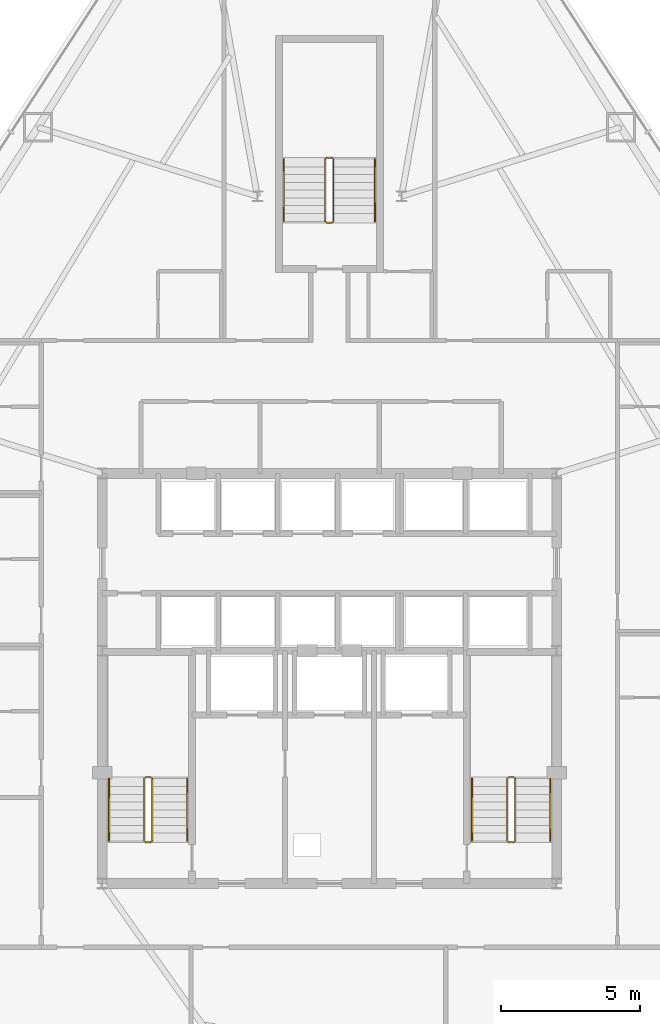
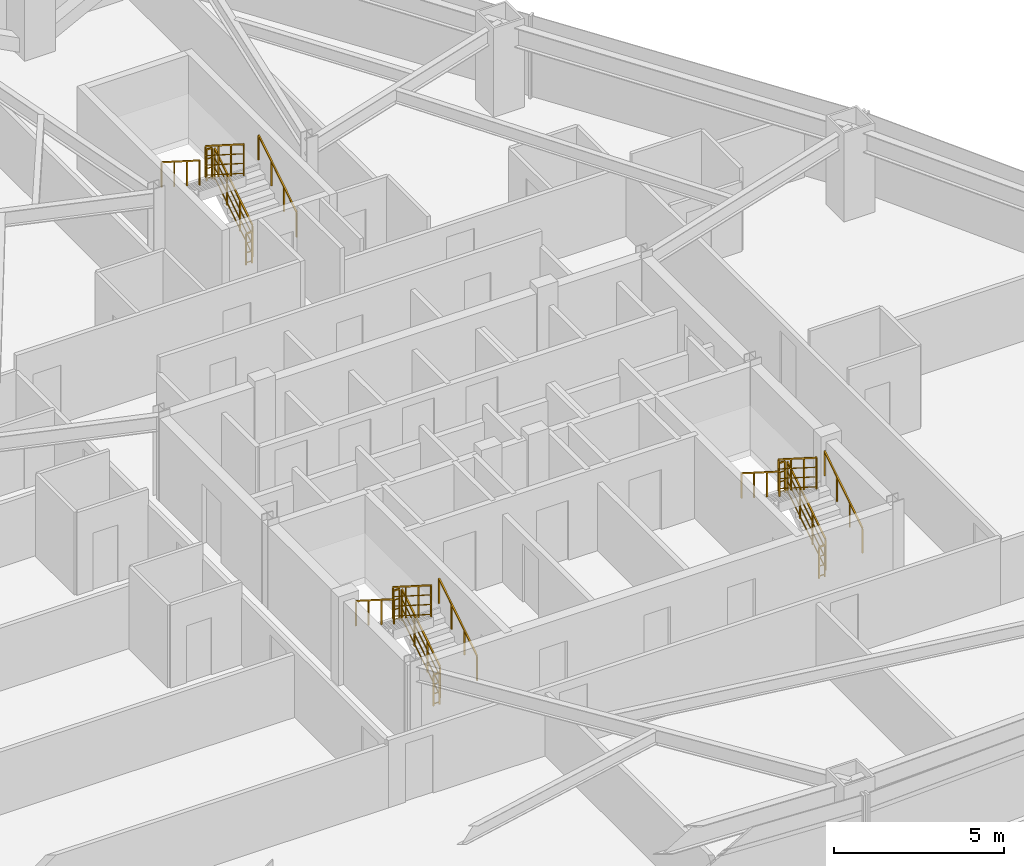
# One storey, part 12 of 12: 18 railings.
"""IFC4 building model written with IfcOpenShell, lengths in metres."""

from ifc_helpers import new_model, si_unit, direction, frame, origin, origin_2d, place, context, subcontext, project, spatial, rectangle, extrude, material, type_object, element, save


model = new_model("IFC4")

# Units and contexts
model_context = context("Model", 3, precision=1e-05, world=origin(), true_north=direction((0.0, 1.0)))
body_context = subcontext(model_context, "Body", "Model", "MODEL_VIEW")
ifc_project = project(units=[si_unit("LENGTHUNIT", "METRE"), si_unit("AREAUNIT", "SQUARE_METRE"), si_unit("VOLUMEUNIT", "CUBIC_METRE"), si_unit("PLANEANGLEUNIT", "RADIAN"), si_unit("MASSUNIT", "GRAM", prefix="KILO")], contexts=[model_context])

# Site, building, storey
site_placement = place(None, origin())
site = spatial("IfcSite", under=ifc_project, at=site_placement, CompositionType="ELEMENT")
building_placement = place(site_placement, origin())
building = spatial("IfcBuilding", under=site, at=building_placement, Name="Varakhsha Concourse Tower", CompositionType="ELEMENT")
storey_placement = place(building_placement, frame((0.0, 0.0, 76.60009765625)))
storey = spatial("IfcBuildingStorey", under=building, at=storey_placement, Name="L21", CompositionType="ELEMENT", Elevation=76.60009765625)

# Railings
ifc_material = material(Name="Brushed Austenitic Stainless Steel AISI 316", Category="steel")
railing_type_1 = type_object("IfcRailingType", Name="RL-STAIR-GUARD-1100", PredefinedType="GUARDRAIL", material=ifc_material)
railing_1_placement = place(storey_placement, frame((33.610107421875, 17.93994140625, 0.177734375)))
element("IfcRailing", 1, at=railing_1_placement, inside=storey, type_object=railing_type_1, Name="L21 ST1 stair guard 1", PredefinedType="GUARDRAIL", context=body_context, shape_type="SweptSolid", body=[
    extrude(rectangle(XDim=0.048095703125, YDim=0.048095703125, at=origin_2d()), frame((0.0, 0.0, 1.1259765625), z_axis=(0.0, 0.8442293374, 0.53598211339), x_axis=(-1.0, 0.0, 0.0)), (0.0, 0.0, 1.0), 2.6533203125),
    extrude(rectangle(XDim=0.028076171875, YDim=0.028076171875, at=origin_2d()), frame((0.0, 0.0, 0.080078125), z_axis=(0.0, 0.8442293374, 0.53598211339), x_axis=(-1.0, 0.0, 0.0)), (0.0, 0.0, 1.0), 2.6533203125),
    extrude(rectangle(XDim=0.028076171875, YDim=0.028076171875, at=origin_2d()), frame((0.0, 0.0, 0.43701171875), z_axis=(0.0, 0.8442293374, 0.53598211339), x_axis=(-1.0, 0.0, 0.0)), (0.0, 0.0, 1.0), 2.6533203125),
    extrude(rectangle(XDim=0.028076171875, YDim=0.028076171875, at=origin_2d()), frame((0.0, 0.0, 0.781982421875), z_axis=(0.0, 0.8442293374, 0.53598211339), x_axis=(-1.0, 0.0, 0.0)), (0.0, 0.0, 1.0), 2.6533203125),
    extrude(rectangle(XDim=0.0419921875, YDim=0.0419921875, at=origin_2d()), origin(), (0.0, 0.0, 1.0), 1.101806640625),
    extrude(rectangle(XDim=0.0419921875, YDim=0.0419921875, at=origin_2d()), frame((0.0, 0.74658203125, 0.47412109375)), (0.0, 0.0, 1.0), 1.101806640625),
    extrude(rectangle(XDim=0.0419921875, YDim=0.0419921875, at=origin_2d()), frame((0.0, 1.493408203125, 0.947998046875)), (0.0, 0.0, 1.0), 1.101806640625),
    extrude(rectangle(XDim=0.0419921875, YDim=0.0419921875, at=origin_2d()), frame((0.0, 2.239990234375, 1.422119140625)), (0.0, 0.0, 1.0), 1.101806640625),
])
railing_2_placement = place(storey_placement, frame((33.56005859375, 20.22998046875, 1.599853515625)))
element("IfcRailing", 2, at=railing_2_placement, inside=storey, type_object=railing_type_1, Name="L21 ST1 stair guard 2", PredefinedType="GUARDRAIL", context=body_context, shape_type="SweptSolid", body=[
    extrude(rectangle(XDim=0.048095703125, YDim=0.048095703125, at=origin_2d()), frame((0.0, 0.0, 1.1259765625), z_axis=(-1.0, 0.0, 0.0), x_axis=(0.0, -1.0, 0.0)), (0.0, 0.0, 1.0), 0.199951171875),
    extrude(rectangle(XDim=0.028076171875, YDim=0.028076171875, at=origin_2d()), frame((0.0, 0.0, 0.080078125), z_axis=(-1.0, 0.0, 0.0), x_axis=(0.0, -1.0, 0.0)), (0.0, 0.0, 1.0), 0.199951171875),
    extrude(rectangle(XDim=0.028076171875, YDim=0.028076171875, at=origin_2d()), frame((0.0, 0.0, 0.43701171875), z_axis=(-1.0, 0.0, 0.0), x_axis=(0.0, -1.0, 0.0)), (0.0, 0.0, 1.0), 0.199951171875),
    extrude(rectangle(XDim=0.028076171875, YDim=0.028076171875, at=origin_2d()), frame((0.0, 0.0, 0.781982421875), z_axis=(-1.0, 0.0, 0.0), x_axis=(0.0, -1.0, 0.0)), (0.0, 0.0, 1.0), 0.199951171875),
    extrude(rectangle(XDim=0.0419921875, YDim=0.0419921875, at=origin_2d()), origin(), (0.0, 0.0, 1.0), 1.101806640625),
    extrude(rectangle(XDim=0.0419921875, YDim=0.0419921875, at=origin_2d()), frame((-0.199951171875, 0.0, 0.0)), (0.0, 0.0, 1.0), 1.101806640625),
])
railing_3_placement = place(storey_placement, frame((33.31005859375, 20.179931640625, 1.777587890625)))
element("IfcRailing", 3, at=railing_3_placement, inside=storey, type_object=railing_type_1, Name="L21 ST1 stair guard 3", PredefinedType="GUARDRAIL", context=body_context, shape_type="SweptSolid", body=[
    extrude(rectangle(XDim=0.048095703125, YDim=0.048095703125, at=origin_2d()), frame((0.0, 0.0, 1.1259765625), z_axis=(0.0, -0.84418770128, 0.536047689118), x_axis=(1.0, 0.0, 0.0)), (0.0, 0.0, 1.0), 2.6533203125),
    extrude(rectangle(XDim=0.028076171875, YDim=0.028076171875, at=origin_2d()), frame((0.0, 0.0, 0.080078125), z_axis=(0.0, -0.84418770128, 0.536047689118), x_axis=(1.0, 0.0, 0.0)), (0.0, 0.0, 1.0), 2.6533203125),
    extrude(rectangle(XDim=0.028076171875, YDim=0.028076171875, at=origin_2d()), frame((0.0, 0.0, 0.43701171875), z_axis=(0.0, -0.84418770128, 0.536047689118), x_axis=(1.0, 0.0, 0.0)), (0.0, 0.0, 1.0), 2.6533203125),
    extrude(rectangle(XDim=0.028076171875, YDim=0.028076171875, at=origin_2d()), frame((0.0, 0.0, 0.781982421875), z_axis=(0.0, -0.84418770128, 0.536047689118), x_axis=(1.0, 0.0, 0.0)), (0.0, 0.0, 1.0), 2.6533203125),
    extrude(rectangle(XDim=0.0419921875, YDim=0.0419921875, at=origin_2d()), origin(), (0.0, 0.0, 1.0), 1.101806640625),
    extrude(rectangle(XDim=0.0419921875, YDim=0.0419921875, at=origin_2d()), frame((0.0, -0.74658203125, 0.47412109375)), (0.0, 0.0, 1.0), 1.101806640625),
    extrude(rectangle(XDim=0.0419921875, YDim=0.0419921875, at=origin_2d()), frame((0.0, -1.493408203125, 0.9482421875)), (0.0, 0.0, 1.0), 1.101806640625),
    extrude(rectangle(XDim=0.0419921875, YDim=0.0419921875, at=origin_2d()), frame((0.0, -2.239990234375, 1.42236328125)), (0.0, 0.0, 1.0), 1.101806640625),
])
railing_4_placement = place(storey_placement, frame((33.56005859375, 17.889892578125, 0.0)))
element("IfcRailing", 4, at=railing_4_placement, inside=storey, type_object=railing_type_1, Name="L21 ST1 stair guard 4", PredefinedType="GUARDRAIL", context=body_context, shape_type="SweptSolid", body=[
    extrude(rectangle(XDim=0.048095703125, YDim=0.048095703125, at=origin_2d()), frame((0.0, 0.0, 1.1259765625), z_axis=(-1.0, 0.0, 0.0), x_axis=(0.0, -1.0, 0.0)), (0.0, 0.0, 1.0), 0.199951171875),
    extrude(rectangle(XDim=0.028076171875, YDim=0.028076171875, at=origin_2d()), frame((0.0, 0.0, 0.080078125), z_axis=(-1.0, 0.0, 0.0), x_axis=(0.0, -1.0, 0.0)), (0.0, 0.0, 1.0), 0.199951171875),
    extrude(rectangle(XDim=0.028076171875, YDim=0.028076171875, at=origin_2d()), frame((0.0, 0.0, 0.43701171875), z_axis=(-1.0, 0.0, 0.0), x_axis=(0.0, -1.0, 0.0)), (0.0, 0.0, 1.0), 0.199951171875),
    extrude(rectangle(XDim=0.028076171875, YDim=0.028076171875, at=origin_2d()), frame((0.0, 0.0, 0.781982421875), z_axis=(-1.0, 0.0, 0.0), x_axis=(0.0, -1.0, 0.0)), (0.0, 0.0, 1.0), 0.199951171875),
    extrude(rectangle(XDim=0.0419921875, YDim=0.0419921875, at=origin_2d()), origin(), (0.0, 0.0, 1.0), 1.101806640625),
    extrude(rectangle(XDim=0.0419921875, YDim=0.0419921875, at=origin_2d()), frame((-0.199951171875, 0.0, 0.0)), (0.0, 0.0, 1.0), 1.101806640625),
])
railing_5_placement = place(storey_placement, frame((46.7099609375, 17.93994140625, 0.177734375)))
element("IfcRailing", 5, at=railing_5_placement, inside=storey, type_object=railing_type_1, Name="L21 ST2 stair guard 1", PredefinedType="GUARDRAIL", context=body_context, shape_type="SweptSolid", body=[
    extrude(rectangle(XDim=0.048095703125, YDim=0.048095703125, at=origin_2d()), frame((0.0, 0.0, 1.1259765625), z_axis=(0.0, 0.8442293374, 0.53598211339), x_axis=(-1.0, 0.0, 0.0)), (0.0, 0.0, 1.0), 2.6533203125),
    extrude(rectangle(XDim=0.028076171875, YDim=0.028076171875, at=origin_2d()), frame((0.0, 0.0, 0.080078125), z_axis=(0.0, 0.8442293374, 0.53598211339), x_axis=(-1.0, 0.0, 0.0)), (0.0, 0.0, 1.0), 2.6533203125),
    extrude(rectangle(XDim=0.028076171875, YDim=0.028076171875, at=origin_2d()), frame((0.0, 0.0, 0.43701171875), z_axis=(0.0, 0.8442293374, 0.53598211339), x_axis=(-1.0, 0.0, 0.0)), (0.0, 0.0, 1.0), 2.6533203125),
    extrude(rectangle(XDim=0.028076171875, YDim=0.028076171875, at=origin_2d()), frame((0.0, 0.0, 0.781982421875), z_axis=(0.0, 0.8442293374, 0.53598211339), x_axis=(-1.0, 0.0, 0.0)), (0.0, 0.0, 1.0), 2.6533203125),
    extrude(rectangle(XDim=0.0419921875, YDim=0.0419921875, at=origin_2d()), origin(), (0.0, 0.0, 1.0), 1.101806640625),
    extrude(rectangle(XDim=0.0419921875, YDim=0.0419921875, at=origin_2d()), frame((0.0, 0.74658203125, 0.47412109375)), (0.0, 0.0, 1.0), 1.101806640625),
    extrude(rectangle(XDim=0.0419921875, YDim=0.0419921875, at=origin_2d()), frame((0.0, 1.493408203125, 0.947998046875)), (0.0, 0.0, 1.0), 1.101806640625),
    extrude(rectangle(XDim=0.0419921875, YDim=0.0419921875, at=origin_2d()), frame((0.0, 2.239990234375, 1.422119140625)), (0.0, 0.0, 1.0), 1.101806640625),
])
railing_6_placement = place(storey_placement, frame((46.659912109375, 20.22998046875, 1.599853515625)))
element("IfcRailing", 6, at=railing_6_placement, inside=storey, type_object=railing_type_1, Name="L21 ST2 stair guard 2", PredefinedType="GUARDRAIL", context=body_context, shape_type="SweptSolid", body=[
    extrude(rectangle(XDim=0.048095703125, YDim=0.048095703125, at=origin_2d()), frame((0.0, 0.0, 1.1259765625), z_axis=(-1.0, 0.0, 0.0), x_axis=(0.0, -1.0, 0.0)), (0.0, 0.0, 1.0), 0.199951171875),
    extrude(rectangle(XDim=0.028076171875, YDim=0.028076171875, at=origin_2d()), frame((0.0, 0.0, 0.080078125), z_axis=(-1.0, 0.0, 0.0), x_axis=(0.0, -1.0, 0.0)), (0.0, 0.0, 1.0), 0.199951171875),
    extrude(rectangle(XDim=0.028076171875, YDim=0.028076171875, at=origin_2d()), frame((0.0, 0.0, 0.43701171875), z_axis=(-1.0, 0.0, 0.0), x_axis=(0.0, -1.0, 0.0)), (0.0, 0.0, 1.0), 0.199951171875),
    extrude(rectangle(XDim=0.028076171875, YDim=0.028076171875, at=origin_2d()), frame((0.0, 0.0, 0.781982421875), z_axis=(-1.0, 0.0, 0.0), x_axis=(0.0, -1.0, 0.0)), (0.0, 0.0, 1.0), 0.199951171875),
    extrude(rectangle(XDim=0.0419921875, YDim=0.0419921875, at=origin_2d()), origin(), (0.0, 0.0, 1.0), 1.101806640625),
    extrude(rectangle(XDim=0.0419921875, YDim=0.0419921875, at=origin_2d()), frame((-0.199951171875, 0.0, 0.0)), (0.0, 0.0, 1.0), 1.101806640625),
])
railing_7_placement = place(storey_placement, frame((46.409912109375, 20.179931640625, 1.777587890625)))
element("IfcRailing", 7, at=railing_7_placement, inside=storey, type_object=railing_type_1, Name="L21 ST2 stair guard 3", PredefinedType="GUARDRAIL", context=body_context, shape_type="SweptSolid", body=[
    extrude(rectangle(XDim=0.048095703125, YDim=0.048095703125, at=origin_2d()), frame((0.0, 0.0, 1.1259765625), z_axis=(0.0, -0.84418770128, 0.536047689118), x_axis=(1.0, 0.0, 0.0)), (0.0, 0.0, 1.0), 2.6533203125),
    extrude(rectangle(XDim=0.028076171875, YDim=0.028076171875, at=origin_2d()), frame((0.0, 0.0, 0.080078125), z_axis=(0.0, -0.84418770128, 0.536047689118), x_axis=(1.0, 0.0, 0.0)), (0.0, 0.0, 1.0), 2.6533203125),
    extrude(rectangle(XDim=0.028076171875, YDim=0.028076171875, at=origin_2d()), frame((0.0, 0.0, 0.43701171875), z_axis=(0.0, -0.84418770128, 0.536047689118), x_axis=(1.0, 0.0, 0.0)), (0.0, 0.0, 1.0), 2.6533203125),
    extrude(rectangle(XDim=0.028076171875, YDim=0.028076171875, at=origin_2d()), frame((0.0, 0.0, 0.781982421875), z_axis=(0.0, -0.84418770128, 0.536047689118), x_axis=(1.0, 0.0, 0.0)), (0.0, 0.0, 1.0), 2.6533203125),
    extrude(rectangle(XDim=0.0419921875, YDim=0.0419921875, at=origin_2d()), origin(), (0.0, 0.0, 1.0), 1.101806640625),
    extrude(rectangle(XDim=0.0419921875, YDim=0.0419921875, at=origin_2d()), frame((0.0, -0.74658203125, 0.47412109375)), (0.0, 0.0, 1.0), 1.101806640625),
    extrude(rectangle(XDim=0.0419921875, YDim=0.0419921875, at=origin_2d()), frame((0.0, -1.493408203125, 0.9482421875)), (0.0, 0.0, 1.0), 1.101806640625),
    extrude(rectangle(XDim=0.0419921875, YDim=0.0419921875, at=origin_2d()), frame((0.0, -2.239990234375, 1.42236328125)), (0.0, 0.0, 1.0), 1.101806640625),
])
railing_8_placement = place(storey_placement, frame((46.659912109375, 17.889892578125, 0.0)))
element("IfcRailing", 8, at=railing_8_placement, inside=storey, type_object=railing_type_1, Name="L21 ST2 stair guard 4", PredefinedType="GUARDRAIL", context=body_context, shape_type="SweptSolid", body=[
    extrude(rectangle(XDim=0.048095703125, YDim=0.048095703125, at=origin_2d()), frame((0.0, 0.0, 1.1259765625), z_axis=(-1.0, 0.0, 0.0), x_axis=(0.0, -1.0, 0.0)), (0.0, 0.0, 1.0), 0.199951171875),
    extrude(rectangle(XDim=0.028076171875, YDim=0.028076171875, at=origin_2d()), frame((0.0, 0.0, 0.080078125), z_axis=(-1.0, 0.0, 0.0), x_axis=(0.0, -1.0, 0.0)), (0.0, 0.0, 1.0), 0.199951171875),
    extrude(rectangle(XDim=0.028076171875, YDim=0.028076171875, at=origin_2d()), frame((0.0, 0.0, 0.43701171875), z_axis=(-1.0, 0.0, 0.0), x_axis=(0.0, -1.0, 0.0)), (0.0, 0.0, 1.0), 0.199951171875),
    extrude(rectangle(XDim=0.028076171875, YDim=0.028076171875, at=origin_2d()), frame((0.0, 0.0, 0.781982421875), z_axis=(-1.0, 0.0, 0.0), x_axis=(0.0, -1.0, 0.0)), (0.0, 0.0, 1.0), 0.199951171875),
    extrude(rectangle(XDim=0.0419921875, YDim=0.0419921875, at=origin_2d()), origin(), (0.0, 0.0, 1.0), 1.101806640625),
    extrude(rectangle(XDim=0.0419921875, YDim=0.0419921875, at=origin_2d()), frame((-0.199951171875, 0.0, 0.0)), (0.0, 0.0, 1.0), 1.101806640625),
])
railing_9_placement = place(storey_placement, frame((40.14990234375, 40.300048828125, 0.177734375)))
element("IfcRailing", 9, at=railing_9_placement, inside=storey, type_object=railing_type_1, Name="L21 ST5 stair guard 1", PredefinedType="GUARDRAIL", context=body_context, shape_type="SweptSolid", body=[
    extrude(rectangle(XDim=0.048095703125, YDim=0.048095703125, at=origin_2d()), frame((0.0, 0.0, 1.1259765625), z_axis=(0.0, 0.8442293374, 0.53598211339), x_axis=(-1.0, 0.0, 0.0)), (0.0, 0.0, 1.0), 2.6533203125),
    extrude(rectangle(XDim=0.028076171875, YDim=0.028076171875, at=origin_2d()), frame((0.0, 0.0, 0.080078125), z_axis=(0.0, 0.8442293374, 0.53598211339), x_axis=(-1.0, 0.0, 0.0)), (0.0, 0.0, 1.0), 2.6533203125),
    extrude(rectangle(XDim=0.028076171875, YDim=0.028076171875, at=origin_2d()), frame((0.0, 0.0, 0.43701171875), z_axis=(0.0, 0.8442293374, 0.53598211339), x_axis=(-1.0, 0.0, 0.0)), (0.0, 0.0, 1.0), 2.6533203125),
    extrude(rectangle(XDim=0.028076171875, YDim=0.028076171875, at=origin_2d()), frame((0.0, 0.0, 0.781982421875), z_axis=(0.0, 0.8442293374, 0.53598211339), x_axis=(-1.0, 0.0, 0.0)), (0.0, 0.0, 1.0), 2.6533203125),
    extrude(rectangle(XDim=0.0419921875, YDim=0.0419921875, at=origin_2d()), origin(), (0.0, 0.0, 1.0), 1.101806640625),
    extrude(rectangle(XDim=0.0419921875, YDim=0.0419921875, at=origin_2d()), frame((0.0, 0.74658203125, 0.47412109375)), (0.0, 0.0, 1.0), 1.101806640625),
    extrude(rectangle(XDim=0.0419921875, YDim=0.0419921875, at=origin_2d()), frame((0.0, 1.493408203125, 0.947998046875)), (0.0, 0.0, 1.0), 1.101806640625),
    extrude(rectangle(XDim=0.0419921875, YDim=0.0419921875, at=origin_2d()), frame((0.0, 2.239990234375, 1.422119140625)), (0.0, 0.0, 1.0), 1.101806640625),
])
railing_10_placement = place(storey_placement, frame((40.10009765625, 42.590087890625, 1.599853515625)))
element("IfcRailing", 10, at=railing_10_placement, inside=storey, type_object=railing_type_1, Name="L21 ST5 stair guard 2", PredefinedType="GUARDRAIL", context=body_context, shape_type="SweptSolid", body=[
    extrude(rectangle(XDim=0.048095703125, YDim=0.048095703125, at=origin_2d()), frame((0.0, 0.0, 1.1259765625), z_axis=(-1.0, 0.0, 0.0), x_axis=(0.0, -1.0, 0.0)), (0.0, 0.0, 1.0), 0.2001953125),
    extrude(rectangle(XDim=0.028076171875, YDim=0.028076171875, at=origin_2d()), frame((0.0, 0.0, 0.080078125), z_axis=(-1.0, 0.0, 0.0), x_axis=(0.0, -1.0, 0.0)), (0.0, 0.0, 1.0), 0.2001953125),
    extrude(rectangle(XDim=0.028076171875, YDim=0.028076171875, at=origin_2d()), frame((0.0, 0.0, 0.43701171875), z_axis=(-1.0, 0.0, 0.0), x_axis=(0.0, -1.0, 0.0)), (0.0, 0.0, 1.0), 0.2001953125),
    extrude(rectangle(XDim=0.028076171875, YDim=0.028076171875, at=origin_2d()), frame((0.0, 0.0, 0.781982421875), z_axis=(-1.0, 0.0, 0.0), x_axis=(0.0, -1.0, 0.0)), (0.0, 0.0, 1.0), 0.2001953125),
    extrude(rectangle(XDim=0.0419921875, YDim=0.0419921875, at=origin_2d()), origin(), (0.0, 0.0, 1.0), 1.101806640625),
    extrude(rectangle(XDim=0.0419921875, YDim=0.0419921875, at=origin_2d()), frame((-0.2001953125, 0.0, 0.0)), (0.0, 0.0, 1.0), 1.101806640625),
])
railing_11_placement = place(storey_placement, frame((39.85009765625, 42.5400390625, 1.777587890625)))
element("IfcRailing", 11, at=railing_11_placement, inside=storey, type_object=railing_type_1, Name="L21 ST5 stair guard 3", PredefinedType="GUARDRAIL", context=body_context, shape_type="SweptSolid", body=[
    extrude(rectangle(XDim=0.048095703125, YDim=0.048095703125, at=origin_2d()), frame((0.0, 0.0, 1.1259765625), z_axis=(0.0, -0.84418770128, 0.536047689118), x_axis=(1.0, 0.0, 0.0)), (0.0, 0.0, 1.0), 2.6533203125),
    extrude(rectangle(XDim=0.028076171875, YDim=0.028076171875, at=origin_2d()), frame((0.0, 0.0, 0.080078125), z_axis=(0.0, -0.84418770128, 0.536047689118), x_axis=(1.0, 0.0, 0.0)), (0.0, 0.0, 1.0), 2.6533203125),
    extrude(rectangle(XDim=0.028076171875, YDim=0.028076171875, at=origin_2d()), frame((0.0, 0.0, 0.43701171875), z_axis=(0.0, -0.84418770128, 0.536047689118), x_axis=(1.0, 0.0, 0.0)), (0.0, 0.0, 1.0), 2.6533203125),
    extrude(rectangle(XDim=0.028076171875, YDim=0.028076171875, at=origin_2d()), frame((0.0, 0.0, 0.781982421875), z_axis=(0.0, -0.84418770128, 0.536047689118), x_axis=(1.0, 0.0, 0.0)), (0.0, 0.0, 1.0), 2.6533203125),
    extrude(rectangle(XDim=0.0419921875, YDim=0.0419921875, at=origin_2d()), origin(), (0.0, 0.0, 1.0), 1.101806640625),
    extrude(rectangle(XDim=0.0419921875, YDim=0.0419921875, at=origin_2d()), frame((0.0, -0.74658203125, 0.47412109375)), (0.0, 0.0, 1.0), 1.101806640625),
    extrude(rectangle(XDim=0.0419921875, YDim=0.0419921875, at=origin_2d()), frame((0.0, -1.493408203125, 0.9482421875)), (0.0, 0.0, 1.0), 1.101806640625),
    extrude(rectangle(XDim=0.0419921875, YDim=0.0419921875, at=origin_2d()), frame((0.0, -2.239990234375, 1.42236328125)), (0.0, 0.0, 1.0), 1.101806640625),
])
railing_12_placement = place(storey_placement, frame((40.10009765625, 40.25, 0.0)))
element("IfcRailing", 12, at=railing_12_placement, inside=storey, type_object=railing_type_1, Name="L21 ST5 stair guard 4", PredefinedType="GUARDRAIL", context=body_context, shape_type="SweptSolid", body=[
    extrude(rectangle(XDim=0.048095703125, YDim=0.048095703125, at=origin_2d()), frame((0.0, 0.0, 1.1259765625), z_axis=(-1.0, 0.0, 0.0), x_axis=(0.0, -1.0, 0.0)), (0.0, 0.0, 1.0), 0.2001953125),
    extrude(rectangle(XDim=0.028076171875, YDim=0.028076171875, at=origin_2d()), frame((0.0, 0.0, 0.080078125), z_axis=(-1.0, 0.0, 0.0), x_axis=(0.0, -1.0, 0.0)), (0.0, 0.0, 1.0), 0.2001953125),
    extrude(rectangle(XDim=0.028076171875, YDim=0.028076171875, at=origin_2d()), frame((0.0, 0.0, 0.43701171875), z_axis=(-1.0, 0.0, 0.0), x_axis=(0.0, -1.0, 0.0)), (0.0, 0.0, 1.0), 0.2001953125),
    extrude(rectangle(XDim=0.028076171875, YDim=0.028076171875, at=origin_2d()), frame((0.0, 0.0, 0.781982421875), z_axis=(-1.0, 0.0, 0.0), x_axis=(0.0, -1.0, 0.0)), (0.0, 0.0, 1.0), 0.2001953125),
    extrude(rectangle(XDim=0.0419921875, YDim=0.0419921875, at=origin_2d()), origin(), (0.0, 0.0, 1.0), 1.101806640625),
    extrude(rectangle(XDim=0.0419921875, YDim=0.0419921875, at=origin_2d()), frame((-0.2001953125, 0.0, 0.0)), (0.0, 0.0, 1.0), 1.101806640625),
])
railing_type_2 = type_object("IfcRailingType", Name="RL-STAIR-RAIL-915", PredefinedType="HANDRAIL", material=ifc_material)
railing_13_placement = place(storey_placement, frame((34.8701171875, 17.93994140625, 0.35546875)))
element("IfcRailing", 13, at=railing_13_placement, inside=storey, type_object=railing_type_2, Name="L21 ST1 stair handrail 1", PredefinedType="HANDRAIL", context=body_context, shape_type="SweptSolid", body=[
    extrude(rectangle(XDim=0.048095703125, YDim=0.048095703125, at=origin_2d()), frame((0.0, 0.0, 0.89111328125), z_axis=(0.0, 0.8442293374, 0.53598211339), x_axis=(-1.0, 0.0, 0.0)), (0.0, 0.0, 1.0), 2.6533203125),
    extrude(rectangle(XDim=0.0419921875, YDim=0.0419921875, at=origin_2d()), origin(), (0.0, 0.0, 1.0), 0.866943359375),
    extrude(rectangle(XDim=0.0419921875, YDim=0.0419921875, at=origin_2d()), frame((0.0, 0.74658203125, 0.47412109375)), (0.0, 0.0, 1.0), 0.866943359375),
    extrude(rectangle(XDim=0.0419921875, YDim=0.0419921875, at=origin_2d()), frame((0.0, 1.493408203125, 0.947998046875)), (0.0, 0.0, 1.0), 0.866943359375),
    extrude(rectangle(XDim=0.0419921875, YDim=0.0419921875, at=origin_2d()), frame((0.0, 2.239990234375, 1.422119140625)), (0.0, 0.0, 1.0), 0.866943359375),
])
railing_14_placement = place(storey_placement, frame((32.050048828125, 20.179931640625, 1.95556640625)))
element("IfcRailing", 14, at=railing_14_placement, inside=storey, type_object=railing_type_2, Name="L21 ST1 stair handrail 2", PredefinedType="HANDRAIL", context=body_context, shape_type="SweptSolid", body=[
    extrude(rectangle(XDim=0.048095703125, YDim=0.048095703125, at=origin_2d()), frame((0.0, 0.0, 0.89111328125), z_axis=(0.0, -0.8442293374, 0.53598211339), x_axis=(1.0, 0.0, 0.0)), (0.0, 0.0, 1.0), 2.6533203125),
    extrude(rectangle(XDim=0.0419921875, YDim=0.0419921875, at=origin_2d()), origin(), (0.0, 0.0, 1.0), 0.866943359375),
    extrude(rectangle(XDim=0.0419921875, YDim=0.0419921875, at=origin_2d()), frame((0.0, -0.74658203125, 0.47412109375)), (0.0, 0.0, 1.0), 0.866943359375),
    extrude(rectangle(XDim=0.0419921875, YDim=0.0419921875, at=origin_2d()), frame((0.0, -1.493408203125, 0.947998046875)), (0.0, 0.0, 1.0), 0.866943359375),
    extrude(rectangle(XDim=0.0419921875, YDim=0.0419921875, at=origin_2d()), frame((0.0, -2.239990234375, 1.422119140625)), (0.0, 0.0, 1.0), 0.866943359375),
])
railing_15_placement = place(storey_placement, frame((47.969970703125, 17.93994140625, 0.35546875)))
element("IfcRailing", 15, at=railing_15_placement, inside=storey, type_object=railing_type_2, Name="L21 ST2 stair handrail 1", PredefinedType="HANDRAIL", context=body_context, shape_type="SweptSolid", body=[
    extrude(rectangle(XDim=0.048095703125, YDim=0.048095703125, at=origin_2d()), frame((0.0, 0.0, 0.89111328125), z_axis=(0.0, 0.8442293374, 0.53598211339), x_axis=(-1.0, 0.0, 0.0)), (0.0, 0.0, 1.0), 2.6533203125),
    extrude(rectangle(XDim=0.0419921875, YDim=0.0419921875, at=origin_2d()), origin(), (0.0, 0.0, 1.0), 0.866943359375),
    extrude(rectangle(XDim=0.0419921875, YDim=0.0419921875, at=origin_2d()), frame((0.0, 0.74658203125, 0.47412109375)), (0.0, 0.0, 1.0), 0.866943359375),
    extrude(rectangle(XDim=0.0419921875, YDim=0.0419921875, at=origin_2d()), frame((0.0, 1.493408203125, 0.947998046875)), (0.0, 0.0, 1.0), 0.866943359375),
    extrude(rectangle(XDim=0.0419921875, YDim=0.0419921875, at=origin_2d()), frame((0.0, 2.239990234375, 1.422119140625)), (0.0, 0.0, 1.0), 0.866943359375),
])
railing_16_placement = place(storey_placement, frame((45.14990234375, 20.179931640625, 1.95556640625)))
element("IfcRailing", 16, at=railing_16_placement, inside=storey, type_object=railing_type_2, Name="L21 ST2 stair handrail 2", PredefinedType="HANDRAIL", context=body_context, shape_type="SweptSolid", body=[
    extrude(rectangle(XDim=0.048095703125, YDim=0.048095703125, at=origin_2d()), frame((0.0, 0.0, 0.89111328125), z_axis=(0.0, -0.8442293374, 0.53598211339), x_axis=(1.0, 0.0, 0.0)), (0.0, 0.0, 1.0), 2.6533203125),
    extrude(rectangle(XDim=0.0419921875, YDim=0.0419921875, at=origin_2d()), origin(), (0.0, 0.0, 1.0), 0.866943359375),
    extrude(rectangle(XDim=0.0419921875, YDim=0.0419921875, at=origin_2d()), frame((0.0, -0.74658203125, 0.47412109375)), (0.0, 0.0, 1.0), 0.866943359375),
    extrude(rectangle(XDim=0.0419921875, YDim=0.0419921875, at=origin_2d()), frame((0.0, -1.493408203125, 0.947998046875)), (0.0, 0.0, 1.0), 0.866943359375),
    extrude(rectangle(XDim=0.0419921875, YDim=0.0419921875, at=origin_2d()), frame((0.0, -2.239990234375, 1.422119140625)), (0.0, 0.0, 1.0), 0.866943359375),
])
railing_17_placement = place(storey_placement, frame((41.64990234375, 40.300048828125, 0.35546875)))
element("IfcRailing", 17, at=railing_17_placement, inside=storey, type_object=railing_type_2, Name="L21 ST5 stair handrail 1", PredefinedType="HANDRAIL", context=body_context, shape_type="SweptSolid", body=[
    extrude(rectangle(XDim=0.048095703125, YDim=0.048095703125, at=origin_2d()), frame((0.0, 0.0, 0.89111328125), z_axis=(0.0, 0.8442293374, 0.53598211339), x_axis=(-1.0, 0.0, 0.0)), (0.0, 0.0, 1.0), 2.6533203125),
    extrude(rectangle(XDim=0.0419921875, YDim=0.0419921875, at=origin_2d()), origin(), (0.0, 0.0, 1.0), 0.866943359375),
    extrude(rectangle(XDim=0.0419921875, YDim=0.0419921875, at=origin_2d()), frame((0.0, 0.74658203125, 0.47412109375)), (0.0, 0.0, 1.0), 0.866943359375),
    extrude(rectangle(XDim=0.0419921875, YDim=0.0419921875, at=origin_2d()), frame((0.0, 1.493408203125, 0.947998046875)), (0.0, 0.0, 1.0), 0.866943359375),
    extrude(rectangle(XDim=0.0419921875, YDim=0.0419921875, at=origin_2d()), frame((0.0, 2.239990234375, 1.422119140625)), (0.0, 0.0, 1.0), 0.866943359375),
])
railing_18_placement = place(storey_placement, frame((38.35009765625, 42.5400390625, 1.95556640625)))
element("IfcRailing", 18, at=railing_18_placement, inside=storey, type_object=railing_type_2, Name="L21 ST5 stair handrail 2", PredefinedType="HANDRAIL", context=body_context, shape_type="SweptSolid", body=[
    extrude(rectangle(XDim=0.048095703125, YDim=0.048095703125, at=origin_2d()), frame((0.0, 0.0, 0.89111328125), z_axis=(0.0, -0.8442293374, 0.53598211339), x_axis=(1.0, 0.0, 0.0)), (0.0, 0.0, 1.0), 2.6533203125),
    extrude(rectangle(XDim=0.0419921875, YDim=0.0419921875, at=origin_2d()), origin(), (0.0, 0.0, 1.0), 0.866943359375),
    extrude(rectangle(XDim=0.0419921875, YDim=0.0419921875, at=origin_2d()), frame((0.0, -0.74658203125, 0.47412109375)), (0.0, 0.0, 1.0), 0.866943359375),
    extrude(rectangle(XDim=0.0419921875, YDim=0.0419921875, at=origin_2d()), frame((0.0, -1.493408203125, 0.947998046875)), (0.0, 0.0, 1.0), 0.866943359375),
    extrude(rectangle(XDim=0.0419921875, YDim=0.0419921875, at=origin_2d()), frame((0.0, -2.239990234375, 1.422119140625)), (0.0, 0.0, 1.0), 0.866943359375),
])

save(model, "model.ifc")
